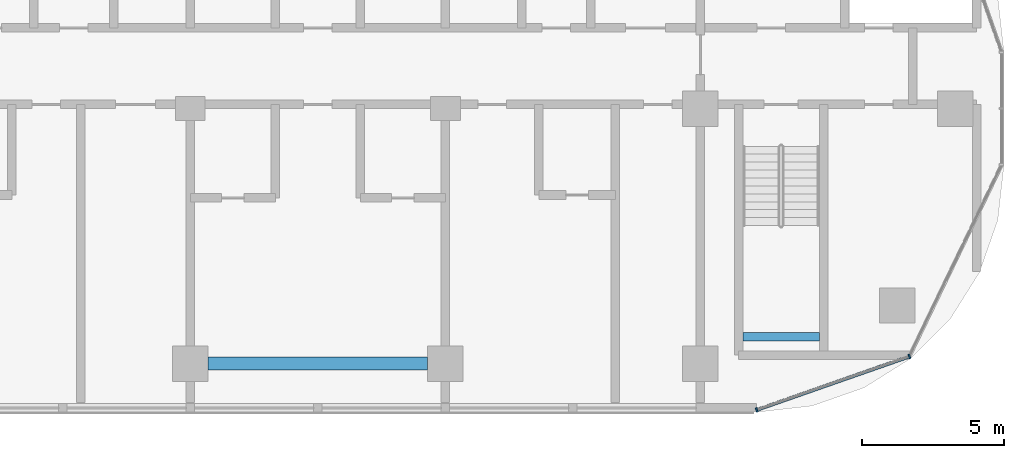
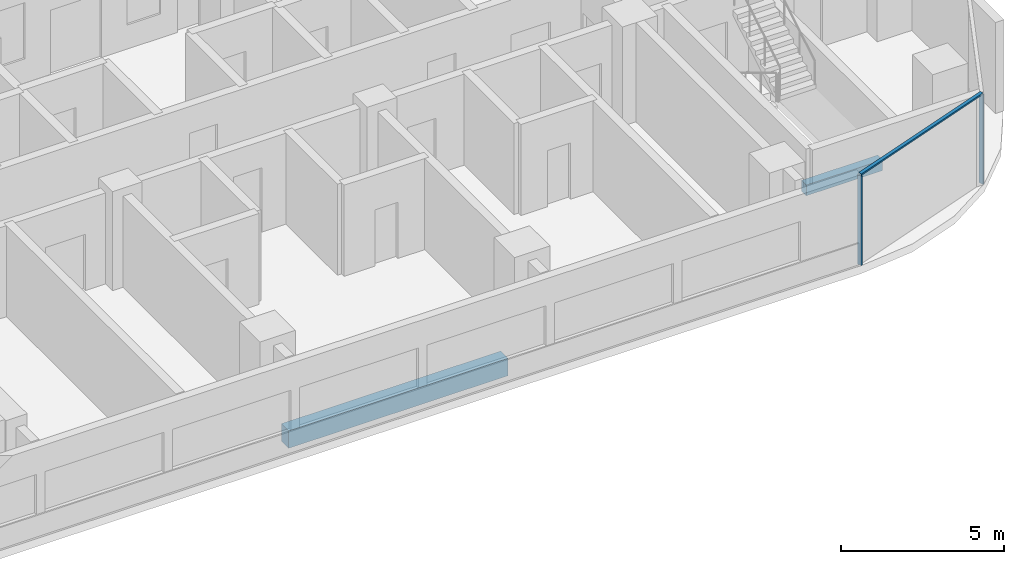
# One storey, part 3 of 23: 3 members, 2 beams, 1 element without a shape of its own.
"""IFC4 building model written with IfcOpenShell, lengths in metres."""

import ifcopenshell
import ifcopenshell.guid

model = None  # the IFC model being written
_history = None  # IfcOwnerHistory: only IFC2X3 demands one
_inside = {}  # id of a spatial element -> (the spatial element, [elements in it])
_under = {}  # id of a project, library or spatial element -> (it, [spatial elements below it])
_declared = {}  # id of a project -> (the project, [libraries it declares])
_typed = {}  # id of a type object -> (the type object, [elements of that type])
_made_of = {}  # id of a material, layer set ... -> (it, [elements and type objects made of it])


def new_model(schema):
    """Start an empty IFC model of exactly this schema.

    Asked for "IFC4X3", IfcOpenShell would pick the latest addendum, in which some entities
    have other attributes; the version numbers below select the first issue.
    IFC2X3 requires an IfcOwnerHistory on every rooted entity: one is made here for all.
    """
    global model, _history
    if schema == "IFC4X3":
        model = ifcopenshell.file(schema_version=(4, 3, 0, 0))
    else:
        model = ifcopenshell.file(schema=schema)
    _inside.clear()
    _under.clear()
    _declared.clear()
    _typed.clear()
    _made_of.clear()
    _history = None
    if model.schema == "IFC2X3":
        org = make("IfcOrganization", Name="unknown")
        user = make(
            "IfcPersonAndOrganization",
            ThePerson=make("IfcPerson", FamilyName="unknown"),
            TheOrganization=org,
        )
        app = make(
            "IfcApplication",
            ApplicationDeveloper=org,
            Version="unknown",
            ApplicationFullName="unknown",
            ApplicationIdentifier="unknown",
        )
        _history = make(
            "IfcOwnerHistory",
            OwningUser=user,
            OwningApplication=app,
            ChangeAction="ADDED",
            CreationDate=0,
        )
    return model


def make(cls, **values):
    """One entity of the class cls with the attributes given. An attribute that is None is left unset."""
    return model.create_entity(
        cls, **{name: value for name, value in values.items() if value is not None}
    )


def rooted(cls, **values):
    """An entity with a GlobalId (a new one), such as an element, a storey or a relation."""
    return make(cls, GlobalId=ifcopenshell.guid.new(), OwnerHistory=_history, **values)


def si_unit(unit_type, name, prefix=None):
    """IfcSIUnit, for example si_unit("LENGTHUNIT", "METRE", prefix="MILLI")."""
    return make("IfcSIUnit", UnitType=unit_type, Prefix=prefix, Name=name)


def assignment(units):
    """IfcUnitAssignment: the units of a project."""
    return None if units is None else make("IfcUnitAssignment", Units=units)


def point(xyz):
    """IfcCartesianPoint."""
    return None if xyz is None else make("IfcCartesianPoint", Coordinates=xyz)


def direction(xyz):
    """IfcDirection."""
    return None if xyz is None else make("IfcDirection", DirectionRatios=xyz)


def frame(location, z_axis=None, x_axis=None):
    """IfcAxis2Placement3D, a coordinate frame: its origin and axes. An axis left out is left unset."""
    return make(
        "IfcAxis2Placement3D",
        Location=point(location),
        Axis=direction(z_axis),
        RefDirection=direction(x_axis),
    )


def frame_2d(location, x_axis=None):
    """IfcAxis2Placement2D, a coordinate frame in the plane: its origin and x axis."""
    return make(
        "IfcAxis2Placement2D", Location=point(location), RefDirection=direction(x_axis)
    )


def origin():
    """The frame at (0, 0, 0) with its axes left unset."""
    return frame((0.0, 0.0, 0.0))


def origin_2d():
    """The frame at (0, 0) in the plane with its x axis left unset."""
    return frame_2d((0.0, 0.0))


def place(relative_to, where):
    """IfcLocalPlacement: puts the frame where relative to a parent placement (None: the world)."""
    return make(
        "IfcLocalPlacement", PlacementRelTo=relative_to, RelativePlacement=where
    )


def context(
    kind, dimensions, precision=None, world=None, true_north=None, identifier=None
):
    """IfcGeometricRepresentationContext, for example the 3D "Model" context."""
    return make(
        "IfcGeometricRepresentationContext",
        ContextIdentifier=identifier,
        ContextType=kind,
        CoordinateSpaceDimension=dimensions,
        Precision=precision,
        WorldCoordinateSystem=world,
        TrueNorth=true_north,
    )


def subcontext(parent, identifier, kind, view, scale=None):
    """IfcGeometricRepresentationSubContext, for example "Body" below "Model"."""
    return make(
        "IfcGeometricRepresentationSubContext",
        ContextIdentifier=identifier,
        ContextType=kind,
        ParentContext=parent,
        TargetScale=scale,
        TargetView=view,
    )


def project(units=None, contexts=None):
    """IfcProject with its units and contexts."""
    return rooted(
        "IfcProject",
        Name="project",
        RepresentationContexts=contexts,
        UnitsInContext=assignment(units),
    )


def spatial(cls, under=None, at=None, **own):
    """A site, building, storey or space (cls), placed at a placement, below another one or the project."""
    s = rooted(cls, ObjectPlacement=at, **own)
    if under is not None:
        _under.setdefault(under.id(), (under, []))[1].append(s)
    return s


def profile(cls, at=None, kind="AREA", **sizes):
    """A parametric profile (cls). Its sizes go by their IFC names, for example OverallWidth=200.0."""
    return make(cls, ProfileType=kind, Position=at, **sizes)


def rectangle(**sizes):
    """IfcRectangleProfileDef."""
    return profile("IfcRectangleProfileDef", **sizes)


def extrude(swept, where, along, depth):
    """IfcExtrudedAreaSolid: the profile swept, set in the frame where, extruded along a direction by depth."""
    return make(
        "IfcExtrudedAreaSolid",
        SweptArea=swept,
        Position=where,
        ExtrudedDirection=direction(along),
        Depth=depth,
    )


def shape(context_of_items, identifier, shape_type, items):
    """IfcShapeRepresentation: the items that make up one representation, for example the "Body"."""
    return make(
        "IfcShapeRepresentation",
        ContextOfItems=context_of_items,
        RepresentationIdentifier=identifier,
        RepresentationType=shape_type,
        Items=items,
    )


def material(Name=None, Category=None):
    """IfcMaterial."""
    return make("IfcMaterial", Name=Name, Category=Category)


def material_profile(
    of_material, cross_section, Name=None, Category=None, Priority=None
):
    """IfcMaterialProfile: a cross section and its material."""
    return make(
        "IfcMaterialProfile",
        Name=Name,
        Material=of_material,
        Profile=cross_section,
        Priority=Priority,
        Category=Category,
    )


def profile_set(profiles, Name=None, composite=None):
    """IfcMaterialProfileSet."""
    return make(
        "IfcMaterialProfileSet",
        Name=Name,
        MaterialProfiles=profiles,
        CompositeProfile=composite,
    )


def made_of(thing, what):
    """Note that an element or type object is made of a material, layer set ...; save() writes the relation."""
    if what is not None:
        _made_of.setdefault(what.id(), (what, []))[1].append(thing)
    return thing


def type_object(cls, material=None, **own):
    """A type object (cls), such as IfcWallType, which elements share."""
    return made_of(rooted(cls, **own), material)


def element(
    cls,
    number,
    at=None,
    inside=None,
    cuts=None,
    type_object=None,
    material=None,
    context=None,
    identifier="Body",
    shape_type=None,
    held_by="IfcProductDefinitionShape",
    body=None,
    shapes=None,
    **own,
):
    """One element of the class cls, such as IfcWall. Its Tag is "e" and its number.

    at: its placement. inside: the storey or other place that contains it. cuts: it is an
    opening in that element (IfcRelVoidsElement). A single representation is given by context,
    identifier, shape_type and body (its items); several are given by shapes. held_by: the class
    of the entity that holds the representations. save() writes the other relations.
    """
    e = rooted(cls, Tag="e%d" % number, ObjectPlacement=at, **own)
    if body is not None:
        shapes = [shape(context, identifier, shape_type, body)]
    if shapes is not None:
        e.Representation = make(held_by, Representations=shapes)
    if inside is not None:
        _inside.setdefault(inside.id(), (inside, []))[1].append(e)
    if cuts is not None:
        rooted(
            "IfcRelVoidsElement", RelatingBuildingElement=cuts, RelatedOpeningElement=e
        )
    if type_object is not None:
        _typed.setdefault(type_object.id(), (type_object, []))[1].append(e)
    return made_of(e, material)


def aggregate(whole, parts):
    """IfcRelAggregates: a whole, such as a stair, and the parts it consists of."""
    return rooted("IfcRelAggregates", RelatingObject=whole, RelatedObjects=parts)


def save(model, path):
    """Write the relations noted so far, then the file.

    IfcRelAggregates (storeys below a building ...), IfcRelContainedInSpatialStructure (elements
    in a storey), IfcRelDefinesByType, IfcRelAssociatesMaterial and IfcRelDeclares: one each for
    every whole, place, type object, material and project.
    """
    for whole, parts in _under.values():
        aggregate(whole, parts)
    for where, things in _inside.values():
        rooted(
            "IfcRelContainedInSpatialStructure",
            RelatedElements=things,
            RelatingStructure=where,
        )
    for kind, things in _typed.values():
        rooted("IfcRelDefinesByType", RelatedObjects=things, RelatingType=kind)
    for what, things in _made_of.values():
        rooted("IfcRelAssociatesMaterial", RelatedObjects=things, RelatingMaterial=what)
    for by, libraries in _declared.values():
        rooted("IfcRelDeclares", RelatingContext=by, RelatedDefinitions=libraries)
    model.write(path)


model = new_model("IFC4")

# Units and contexts
model_context = context("Model", 3, precision=1e-05, world=origin(), true_north=direction((0.0, 1.0)))
body_context = subcontext(model_context, "Body", "Model", "MODEL_VIEW")
ifc_project = project(units=[si_unit("LENGTHUNIT", "METRE"), si_unit("AREAUNIT", "SQUARE_METRE"), si_unit("VOLUMEUNIT", "CUBIC_METRE"), si_unit("PLANEANGLEUNIT", "RADIAN"), si_unit("MASSUNIT", "GRAM", prefix="KILO")], contexts=[model_context])

# Site, building, storey
site_placement = place(None, origin())
site = spatial("IfcSite", under=ifc_project, at=site_placement, CompositionType="ELEMENT")
building_placement = place(site_placement, origin())
building = spatial("IfcBuilding", under=site, at=building_placement, Name="Ogive Portal Towers", CompositionType="ELEMENT")
storey_placement = place(building_placement, frame((0.0, 0.0, 127.800048828125)))
storey = spatial("IfcBuildingStorey", under=building, at=storey_placement, Name="L31", CompositionType="ELEMENT", Elevation=127.800048828125)

# Beam
ifc_material_1 = material(Name="Concrete C40/50", Category="concrete")
ifc_material_profile_1 = material_profile(ifc_material_1, rectangle(XDim=0.300048828125, YDim=0.39990234375, at=origin_2d()), Name="RC 300x400")
ifc_profile_set_1 = profile_set([ifc_material_profile_1], Name="Concrete C40/50")
beam_type_1 = type_object("IfcBeamType", Name="BEAM RC 300x400", PredefinedType="BEAM", material=ifc_profile_set_1)
beam_1_placement = place(storey_placement, frame((87.0, 22.449951171875, 1.449951171875), z_axis=(1.0, 0.0, 0.0), x_axis=(0.0, 1.0, 0.0)))
element("IfcBeam", 1, at=beam_1_placement, inside=storey, type_object=beam_type_1, Name="Landing beam L31", PredefinedType="BEAM", context=body_context, shape_type="SweptSolid", body=[
    extrude(rectangle(XDim=0.300048828125, YDim=0.39990234375, at=origin_2d()), origin(), (0.0, 0.0, 1.0), 2.699951171875),
])

# Curtain wall, members
ifc_material_2 = material(Name="Glass, clear low-iron insulated glazing", Category="glass")
curtain_wall_type = type_object("IfcCurtainWallType", Name="CW FRONT RIBBON 4500", PredefinedType="NOTDEFINED", material=ifc_material_2)
curtain_wall_placement = place(storey_placement, origin())
curtain_wall = element("IfcCurtainWall", 2, at=curtain_wall_placement, inside=storey, type_object=curtain_wall_type, Name="A:L31:f08:cwa", PredefinedType="NOTDEFINED")
ifc_material_3 = material(Name="Aluminium 6063 anodised", Category="aluminium")
ifc_material_profile_2 = material_profile(ifc_material_3, rectangle(XDim=0.159912109375, YDim=0.06005859375, at=origin_2d()), Name="AL 60x160")
ifc_profile_set_2 = profile_set([ifc_material_profile_2], Name="Aluminium 6063 anodised")
member_type_1 = type_object("IfcMemberType", Name="CW MULLION 60x160", PredefinedType="MULLION", material=ifc_profile_set_2)
member_1_placement = place(storey_placement, frame((87.486328125, 19.864990234375, 0.0), z_axis=(0.0, 0.0, 1.0), x_axis=(-0.33027906196, 0.943883330307, 0.0)))
member_1 = element("IfcMember", 3, at=member_1_placement, type_object=member_type_1, Name="mullion", PredefinedType="MULLION", context=body_context, shape_type="SweptSolid", body=[
    extrude(rectangle(XDim=0.159912109375, YDim=0.06005859375, at=origin_2d()), origin(), (0.0, 0.0, 1.0), 3.33984375),
])
member_2_placement = place(storey_placement, frame((92.8759765625, 21.7509765625, 0.0), z_axis=(0.0, 0.0, 1.0), x_axis=(-0.33027906196, 0.943883330307, 0.0)))
member_2 = element("IfcMember", 4, at=member_2_placement, type_object=member_type_1, Name="mullion", PredefinedType="MULLION", context=body_context, shape_type="SweptSolid", body=[
    extrude(rectangle(XDim=0.159912109375, YDim=0.06005859375, at=origin_2d()), origin(), (0.0, 0.0, 1.0), 3.33984375),
])
ifc_material_profile_3 = material_profile(ifc_material_3, rectangle(XDim=0.1201171875, YDim=0.06005859375, at=origin_2d()), Name="AL 120x60")
ifc_profile_set_3 = profile_set([ifc_material_profile_3], Name="Aluminium 6063 anodised")
member_type_2 = type_object("IfcMemberType", Name="CW TRANSOM 60x120", PredefinedType="USERDEFINED", material=ifc_profile_set_3)
member_3_placement = place(storey_placement, frame((87.486328125, 19.864990234375, 3.369873046875), z_axis=(0.943879684746, 0.330289480189, 0.0), x_axis=(-0.330289480189, 0.943879684746, 0.0)))
member_3 = element("IfcMember", 5, at=member_3_placement, type_object=member_type_2, Name="transom", ObjectType="TRANSOM", PredefinedType="USERDEFINED", context=body_context, shape_type="SweptSolid", body=[
    extrude(rectangle(XDim=0.1201171875, YDim=0.06005859375, at=origin_2d()), origin(), (0.0, 0.0, 1.0), 5.710205078125),
])
aggregate(curtain_wall, [member_3, member_1, member_2])

# Beam
ifc_material_4 = material(Name="Concrete C50/60", Category="concrete")
ifc_material_profile_4 = material_profile(ifc_material_4, rectangle(XDim=0.449951171875, YDim=0.64990234375, at=origin_2d()), Name="RC 450x650")
ifc_profile_set_4 = profile_set([ifc_material_profile_4], Name="Concrete C50/60")
beam_type_2 = type_object("IfcBeamType", Name="SPANDREL BEAM RC 450x650", PredefinedType="BEAM", material=ifc_profile_set_4)
beam_2_placement = place(storey_placement, frame((75.875, 21.5, -0.625), z_axis=(-1.0, 0.0, 0.0), x_axis=(0.0, -1.0, 0.0)))
element("IfcBeam", 6, at=beam_2_placement, inside=storey, type_object=beam_type_2, Name="Spandrel beam L31", PredefinedType="BEAM", context=body_context, shape_type="SweptSolid", body=[
    extrude(rectangle(XDim=0.449951171875, YDim=0.64990234375, at=origin_2d()), origin(), (0.0, 0.0, 1.0), 7.75),
])

save(model, "model.ifc")
